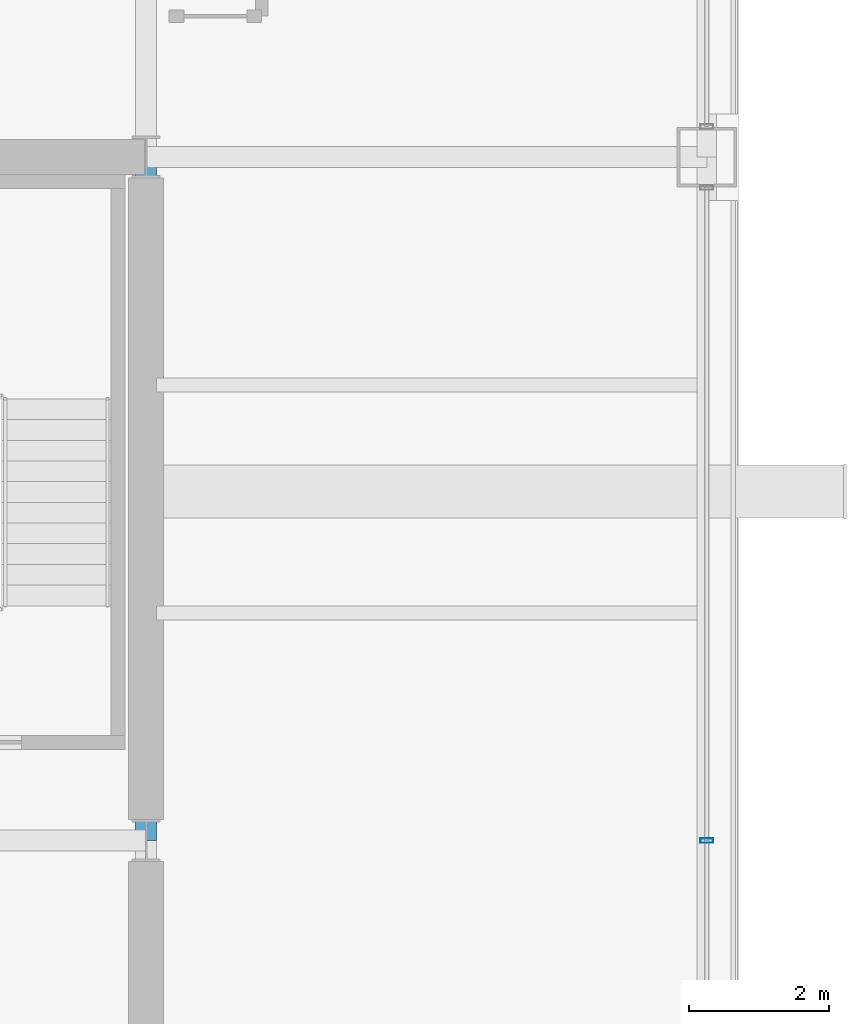
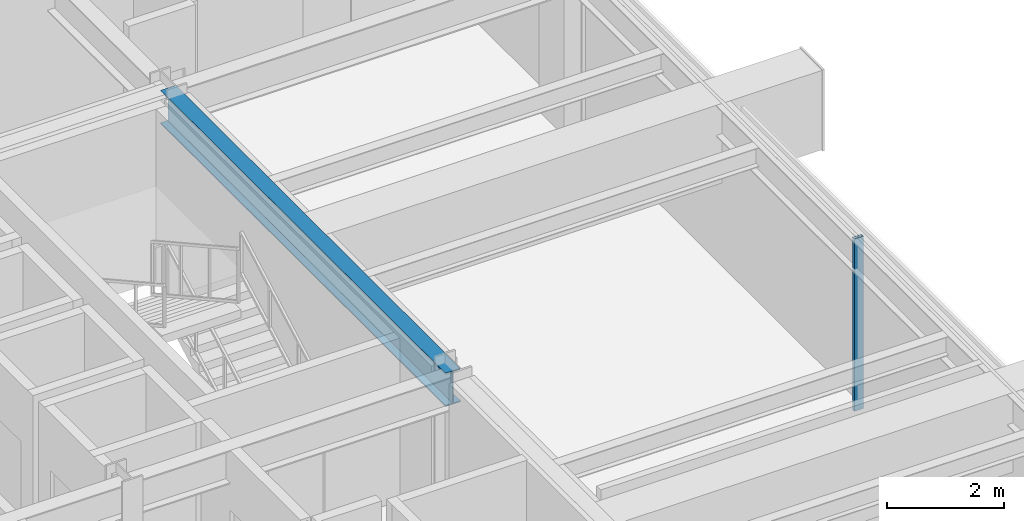
# One storey, part 18 of 34: 1 beam, 1 member, 1 element without a shape of its own.
"""IFC4 building model written with IfcOpenShell, lengths in metres."""

from ifc_helpers import new_model, si_unit, direction, frame, origin, origin_2d, place, context, subcontext, project, spatial, hollow_rectangle, i_section, extrude, material, layer, layer_set, material_profile, profile_set, type_object, element, aggregate, save


model = new_model("IFC4")

# Units and contexts
model_context = context("Model", 3, precision=1e-05, world=origin(), true_north=direction((0.0, 1.0)))
body_context = subcontext(model_context, "Body", "Model", "MODEL_VIEW")
ifc_project = project(units=[si_unit("LENGTHUNIT", "METRE"), si_unit("AREAUNIT", "SQUARE_METRE"), si_unit("VOLUMEUNIT", "CUBIC_METRE"), si_unit("PLANEANGLEUNIT", "RADIAN"), si_unit("MASSUNIT", "GRAM", prefix="KILO")], contexts=[model_context])

# Site, building, storey
site_placement = place(None, origin())
site = spatial("IfcSite", under=ifc_project, at=site_placement, CompositionType="ELEMENT")
building_placement = place(site_placement, origin())
building = spatial("IfcBuilding", under=site, at=building_placement, Name="Brelmoor Portico Tower", CompositionType="ELEMENT")
storey_placement = place(building_placement, frame((0.0, 0.0, 117.0)))
storey = spatial("IfcBuildingStorey", under=building, at=storey_placement, Name="L30", CompositionType="ELEMENT", Elevation=117.0)

# Beam
ifc_material_1 = material(Name="Steel Q355B", Category="steel")
ifc_material_profile_1 = material_profile(ifc_material_1, i_section(OverallWidth=0.300048828125, OverallDepth=0.699951171875, WebThickness=0.012939453125, FlangeThickness=0.02392578125, at=origin_2d()), Name="HN 700x300x13x24")
ifc_profile_set_1 = profile_set([ifc_material_profile_1], Name="Steel Q355B")
beam_type = type_object("IfcBeamType", Name="BM-PG-700", PredefinedType="BEAM", material=ifc_profile_set_1)
beam_placement = place(storey_placement, frame((14.550048828125, 0.0, 3.050048828125), z_axis=(0.0, 1.0, 0.0), x_axis=(-1.0, 0.0, 0.0)))
element("IfcBeam", 1, at=beam_placement, inside=storey, type_object=beam_type, Name="L30 Primary Floor Girder PG-12", PredefinedType="BEAM", context=body_context, shape_type="SweptSolid", body=[
    extrude(i_section(OverallWidth=0.300048828125, OverallDepth=0.699951171875, WebThickness=0.012939453125, FlangeThickness=0.02392578125, at=origin_2d()), origin(), (0.0, 0.0, 1.0), 9.75),
])

# Curtain wall, member
ifc_material_2 = material(Name="Anodised Aluminium Alloy 6063-T6", Category="aluminium")
ifc_layer = layer(ifc_material_2, 0.179931640625)
ifc_layer_set = layer_set([ifc_layer], Name="Anodised Aluminium Alloy 6063-T6")
curtain_wall_type = type_object("IfcCurtainWallType", Name="CW-TOWER-Z2-XB", PredefinedType="NOTDEFINED", material=ifc_layer_set)
curtain_wall_placement = place(storey_placement, origin())
curtain_wall = element("IfcCurtainWall", 2, at=curtain_wall_placement, inside=storey, type_object=curtain_wall_type, Name="L30 Curtain Wall CW-L30-04-2", PredefinedType="NOTDEFINED")
ifc_material_profile_2 = material_profile(ifc_material_2, hollow_rectangle(XDim=0.06494140625, YDim=0.179931640625, WallThickness=0.00390625, at=origin_2d()), Name="ALU MULLION 65x180")
ifc_profile_set_2 = profile_set([ifc_material_profile_2], Name="Anodised Aluminium Alloy 6063-T6")
member_type = type_object("IfcMemberType", Name="MB-CW-MULL-180", PredefinedType="MULLION", material=ifc_profile_set_2)
member_placement = place(storey_placement, frame((22.550048828125, 0.0, -0.199951171875), z_axis=(0.0, 0.0, 1.0), x_axis=(0.0, 1.0, 0.0)))
member = element("IfcMember", 3, at=member_placement, type_object=member_type, Name="CW-L30-04-2 Mullion 01", PredefinedType="MULLION", context=body_context, shape_type="SweptSolid", body=[
    extrude(hollow_rectangle(XDim=0.06494140625, YDim=0.179931640625, WallThickness=0.00390625, at=origin_2d()), origin(), (0.0, 0.0, 1.0), 3.599853515625),
])
aggregate(curtain_wall, [member])

save(model, "model.ifc")
